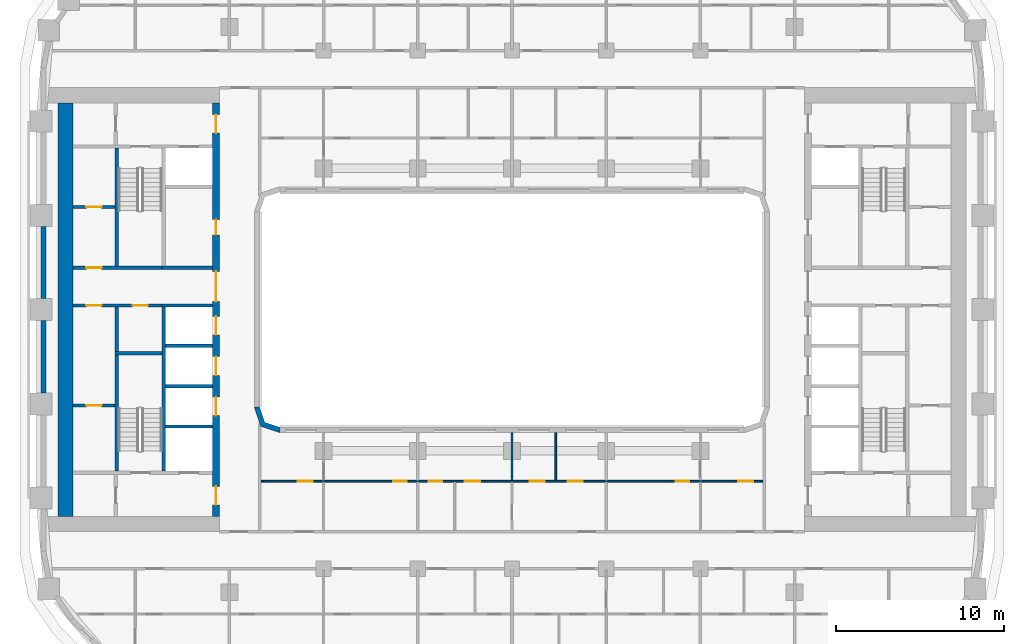
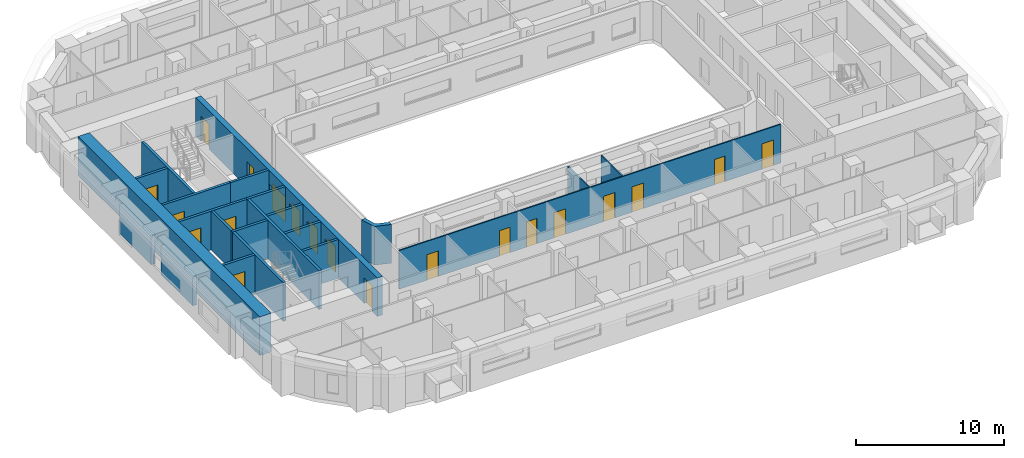
# One storey, part 4 of 22: 22 walls, 20 doors, 20 openings.
"""IFC4 building model written with IfcOpenShell, lengths in metres."""

import ifcopenshell
import ifcopenshell.guid

model = None  # the IFC model being written
_history = None  # IfcOwnerHistory: only IFC2X3 demands one
_inside = {}  # id of a spatial element -> (the spatial element, [elements in it])
_under = {}  # id of a project, library or spatial element -> (it, [spatial elements below it])
_declared = {}  # id of a project -> (the project, [libraries it declares])
_typed = {}  # id of a type object -> (the type object, [elements of that type])
_made_of = {}  # id of a material, layer set ... -> (it, [elements and type objects made of it])


def new_model(schema):
    """Start an empty IFC model of exactly this schema.

    Asked for "IFC4X3", IfcOpenShell would pick the latest addendum, in which some entities
    have other attributes; the version numbers below select the first issue.
    IFC2X3 requires an IfcOwnerHistory on every rooted entity: one is made here for all.
    """
    global model, _history
    if schema == "IFC4X3":
        model = ifcopenshell.file(schema_version=(4, 3, 0, 0))
    else:
        model = ifcopenshell.file(schema=schema)
    _inside.clear()
    _under.clear()
    _declared.clear()
    _typed.clear()
    _made_of.clear()
    _history = None
    if model.schema == "IFC2X3":
        org = make("IfcOrganization", Name="unknown")
        user = make(
            "IfcPersonAndOrganization",
            ThePerson=make("IfcPerson", FamilyName="unknown"),
            TheOrganization=org,
        )
        app = make(
            "IfcApplication",
            ApplicationDeveloper=org,
            Version="unknown",
            ApplicationFullName="unknown",
            ApplicationIdentifier="unknown",
        )
        _history = make(
            "IfcOwnerHistory",
            OwningUser=user,
            OwningApplication=app,
            ChangeAction="ADDED",
            CreationDate=0,
        )
    return model


def make(cls, **values):
    """One entity of the class cls with the attributes given. An attribute that is None is left unset."""
    return model.create_entity(
        cls, **{name: value for name, value in values.items() if value is not None}
    )


def rooted(cls, **values):
    """An entity with a GlobalId (a new one), such as an element, a storey or a relation."""
    return make(cls, GlobalId=ifcopenshell.guid.new(), OwnerHistory=_history, **values)


def si_unit(unit_type, name, prefix=None):
    """IfcSIUnit, for example si_unit("LENGTHUNIT", "METRE", prefix="MILLI")."""
    return make("IfcSIUnit", UnitType=unit_type, Prefix=prefix, Name=name)


def assignment(units):
    """IfcUnitAssignment: the units of a project."""
    return None if units is None else make("IfcUnitAssignment", Units=units)


def point(xyz):
    """IfcCartesianPoint."""
    return None if xyz is None else make("IfcCartesianPoint", Coordinates=xyz)


def direction(xyz):
    """IfcDirection."""
    return None if xyz is None else make("IfcDirection", DirectionRatios=xyz)


def frame(location, z_axis=None, x_axis=None):
    """IfcAxis2Placement3D, a coordinate frame: its origin and axes. An axis left out is left unset."""
    return make(
        "IfcAxis2Placement3D",
        Location=point(location),
        Axis=direction(z_axis),
        RefDirection=direction(x_axis),
    )


def frame_2d(location, x_axis=None):
    """IfcAxis2Placement2D, a coordinate frame in the plane: its origin and x axis."""
    return make(
        "IfcAxis2Placement2D", Location=point(location), RefDirection=direction(x_axis)
    )


def origin():
    """The frame at (0, 0, 0) with its axes left unset."""
    return frame((0.0, 0.0, 0.0))


def place(relative_to, where):
    """IfcLocalPlacement: puts the frame where relative to a parent placement (None: the world)."""
    return make(
        "IfcLocalPlacement", PlacementRelTo=relative_to, RelativePlacement=where
    )


def context(
    kind, dimensions, precision=None, world=None, true_north=None, identifier=None
):
    """IfcGeometricRepresentationContext, for example the 3D "Model" context."""
    return make(
        "IfcGeometricRepresentationContext",
        ContextIdentifier=identifier,
        ContextType=kind,
        CoordinateSpaceDimension=dimensions,
        Precision=precision,
        WorldCoordinateSystem=world,
        TrueNorth=true_north,
    )


def subcontext(parent, identifier, kind, view, scale=None):
    """IfcGeometricRepresentationSubContext, for example "Body" below "Model"."""
    return make(
        "IfcGeometricRepresentationSubContext",
        ContextIdentifier=identifier,
        ContextType=kind,
        ParentContext=parent,
        TargetScale=scale,
        TargetView=view,
    )


def project(units=None, contexts=None):
    """IfcProject with its units and contexts."""
    return rooted(
        "IfcProject",
        Name="project",
        RepresentationContexts=contexts,
        UnitsInContext=assignment(units),
    )


def spatial(cls, under=None, at=None, **own):
    """A site, building, storey or space (cls), placed at a placement, below another one or the project."""
    s = rooted(cls, ObjectPlacement=at, **own)
    if under is not None:
        _under.setdefault(under.id(), (under, []))[1].append(s)
    return s


def polyline(points):
    """IfcPolyline through the points."""
    return make("IfcPolyline", Points=[point(p) for p in points])


def profile(cls, at=None, kind="AREA", **sizes):
    """A parametric profile (cls). Its sizes go by their IFC names, for example OverallWidth=200.0."""
    return make(cls, ProfileType=kind, Position=at, **sizes)


def rectangle(**sizes):
    """IfcRectangleProfileDef."""
    return profile("IfcRectangleProfileDef", **sizes)


def outline(outer, holes=None, kind="AREA"):
    """IfcArbitraryClosedProfileDef: a profile drawn as a closed curve; with holes, ...WithVoids."""
    if holes is None:
        return make("IfcArbitraryClosedProfileDef", ProfileType=kind, OuterCurve=outer)
    return make(
        "IfcArbitraryProfileDefWithVoids",
        ProfileType=kind,
        OuterCurve=outer,
        InnerCurves=holes,
    )


def extrude(swept, where, along, depth):
    """IfcExtrudedAreaSolid: the profile swept, set in the frame where, extruded along a direction by depth."""
    return make(
        "IfcExtrudedAreaSolid",
        SweptArea=swept,
        Position=where,
        ExtrudedDirection=direction(along),
        Depth=depth,
    )


def shape(context_of_items, identifier, shape_type, items):
    """IfcShapeRepresentation: the items that make up one representation, for example the "Body"."""
    return make(
        "IfcShapeRepresentation",
        ContextOfItems=context_of_items,
        RepresentationIdentifier=identifier,
        RepresentationType=shape_type,
        Items=items,
    )


def material(Name=None, Category=None):
    """IfcMaterial."""
    return make("IfcMaterial", Name=Name, Category=Category)


def layer(
    of_material, thickness, ventilated=None, Name=None, Category=None, Priority=None
):
    """IfcMaterialLayer: one layer of a wall or slab, of a material (None: an air gap)."""
    return make(
        "IfcMaterialLayer",
        Material=of_material,
        LayerThickness=thickness,
        IsVentilated=ventilated,
        Name=Name,
        Category=Category,
        Priority=Priority,
    )


def layer_set(layers, Name=None):
    """IfcMaterialLayerSet."""
    return make("IfcMaterialLayerSet", MaterialLayers=layers, LayerSetName=Name)


def made_of(thing, what):
    """Note that an element or type object is made of a material, layer set ...; save() writes the relation."""
    if what is not None:
        _made_of.setdefault(what.id(), (what, []))[1].append(thing)
    return thing


def type_object(cls, material=None, **own):
    """A type object (cls), such as IfcWallType, which elements share."""
    return made_of(rooted(cls, **own), material)


def element(
    cls,
    number,
    at=None,
    inside=None,
    cuts=None,
    type_object=None,
    material=None,
    context=None,
    identifier="Body",
    shape_type=None,
    held_by="IfcProductDefinitionShape",
    body=None,
    shapes=None,
    **own,
):
    """One element of the class cls, such as IfcWall. Its Tag is "e" and its number.

    at: its placement. inside: the storey or other place that contains it. cuts: it is an
    opening in that element (IfcRelVoidsElement). A single representation is given by context,
    identifier, shape_type and body (its items); several are given by shapes. held_by: the class
    of the entity that holds the representations. save() writes the other relations.
    """
    e = rooted(cls, Tag="e%d" % number, ObjectPlacement=at, **own)
    if body is not None:
        shapes = [shape(context, identifier, shape_type, body)]
    if shapes is not None:
        e.Representation = make(held_by, Representations=shapes)
    if inside is not None:
        _inside.setdefault(inside.id(), (inside, []))[1].append(e)
    if cuts is not None:
        rooted(
            "IfcRelVoidsElement", RelatingBuildingElement=cuts, RelatedOpeningElement=e
        )
    if type_object is not None:
        _typed.setdefault(type_object.id(), (type_object, []))[1].append(e)
    return made_of(e, material)


def fill(opening, filler):
    """IfcRelFillsElement: the door or window that sits in an opening."""
    return rooted(
        "IfcRelFillsElement",
        RelatingOpeningElement=opening,
        RelatedBuildingElement=filler,
    )


def aggregate(whole, parts):
    """IfcRelAggregates: a whole, such as a stair, and the parts it consists of."""
    return rooted("IfcRelAggregates", RelatingObject=whole, RelatedObjects=parts)


def save(model, path):
    """Write the relations noted so far, then the file.

    IfcRelAggregates (storeys below a building ...), IfcRelContainedInSpatialStructure (elements
    in a storey), IfcRelDefinesByType, IfcRelAssociatesMaterial and IfcRelDeclares: one each for
    every whole, place, type object, material and project.
    """
    for whole, parts in _under.values():
        aggregate(whole, parts)
    for where, things in _inside.values():
        rooted(
            "IfcRelContainedInSpatialStructure",
            RelatedElements=things,
            RelatingStructure=where,
        )
    for kind, things in _typed.values():
        rooted("IfcRelDefinesByType", RelatedObjects=things, RelatingType=kind)
    for what, things in _made_of.values():
        rooted("IfcRelAssociatesMaterial", RelatedObjects=things, RelatingMaterial=what)
    for by, libraries in _declared.values():
        rooted("IfcRelDeclares", RelatingContext=by, RelatedDefinitions=libraries)
    model.write(path)


model = new_model("IFC4")

# Units and contexts
model_context = context("Model", 3, precision=1e-05, world=origin(), true_north=direction((0.0, 1.0)))
body_context = subcontext(model_context, "Body", "Model", "MODEL_VIEW")
ifc_project = project(units=[si_unit("LENGTHUNIT", "METRE"), si_unit("AREAUNIT", "SQUARE_METRE"), si_unit("VOLUMEUNIT", "CUBIC_METRE"), si_unit("PLANEANGLEUNIT", "RADIAN"), si_unit("MASSUNIT", "GRAM", prefix="KILO")], contexts=[model_context])

# Site, building, storey
site_placement = place(None, origin())
site = spatial("IfcSite", under=ifc_project, at=site_placement, CompositionType="ELEMENT")
building_placement = place(site_placement, origin())
building = spatial("IfcBuilding", under=site, at=building_placement, Name="Kiln Ring Residences", CompositionType="ELEMENT")
storey_placement = place(building_placement, frame((0.0, 0.0, 97.300048828125)))
storey = spatial("IfcBuildingStorey", under=building, at=storey_placement, Name="L24", CompositionType="ELEMENT", Elevation=97.300048828125)

# Wall
ifc_material_1 = material(Name="Gypsum board on steel studs", Category="steel")
ifc_layer_1 = layer(ifc_material_1, 0.199951171875)
ifc_layer_set_1 = layer_set([ifc_layer_1], Name="CORE-PARTITION-200")
wall_type_1 = type_object("IfcWallType", Name="CORE-PARTITION-200", PredefinedType="PARTITIONING", material=ifc_layer_set_1)
wall_1_placement = place(storey_placement, frame((-23.5, -2.5, 0.0), z_axis=(0.0, 0.0, 1.0), x_axis=(0.0, 1.0, 0.0)))
element("IfcWall", 1, at=wall_1_placement, inside=storey, type_object=wall_type_1, Name="Core partition west L24 1", PredefinedType="PARTITIONING", context=body_context, shape_type="SweptSolid", body=[
    extrude(rectangle(XDim=2.64990234375, YDim=0.199951171875, at=frame_2d((1.324951171875, 0.0))), origin(), (0.0, 0.0, 1.0), 3.199951171875),
])

# Wall, openings, doors
wall_2_placement = place(storey_placement, frame((-20.800048828125, 0.25, 0.0), z_axis=(0.0, 0.0, 1.0), x_axis=(-1.0, 0.0, 0.0)))
wall_2 = element("IfcWall", 2, at=wall_2_placement, inside=storey, type_object=wall_type_1, Name="Core partition west L24 2", PredefinedType="PARTITIONING", context=body_context, shape_type="SweptSolid", body=[
    extrude(rectangle(XDim=5.300048828125, YDim=0.199951171875, at=frame_2d((2.64990234375, 0.0))), origin(), (0.0, 0.0, 1.0), 3.199951171875),
])
opening_1_placement = place(wall_2_placement, frame((0.85009765625, 0.0, 0.0)))
opening_1 = element("IfcOpeningElement", 3, at=opening_1_placement, cuts=wall_2, Name="Opening L24-CW14", PredefinedType="OPENING", context=body_context, shape_type="SweptSolid", body=[
    extrude(rectangle(XDim=0.89990234375, YDim=2.10009765625, at=frame_2d((0.449951171875, 1.050048828125))), frame((0.0, 0.10986328125, 0.0), z_axis=(0.0, -1.0, 0.0), x_axis=(1.0, 0.0, 0.0)), (0.0, 0.0, 1.0), 0.219970703125),
])
opening_2_placement = place(wall_2_placement, frame((3.60009765625, 0.0, 0.0)))
opening_2 = element("IfcOpeningElement", 4, at=opening_2_placement, cuts=wall_2, Name="Opening L24-CW16", PredefinedType="OPENING", context=body_context, shape_type="SweptSolid", body=[
    extrude(rectangle(XDim=0.89990234375, YDim=2.10009765625, at=frame_2d((0.449951171875, 1.050048828125))), frame((0.0, 0.10986328125, 0.0), z_axis=(0.0, -1.0, 0.0), x_axis=(1.0, 0.0, 0.0)), (0.0, 0.0, 1.0), 0.219970703125),
])
ifc_material_2 = material(Name="Steel door leaf", Category="steel")
door_type_1 = type_object("IfcDoorType", Name="CORE-DOOR-ROOM", OperationType="SINGLE_SWING_LEFT", PredefinedType="DOOR", material=ifc_material_2)
door_1_placement = place(opening_1_placement, origin())
door_1 = element("IfcDoor", 5, at=door_1_placement, inside=storey, type_object=door_type_1, Name="Housekeeping store L24-CW14", OperationType="SINGLE_SWING_RIGHT", OverallHeight=2.10009765625, OverallWidth=0.89990234375, PredefinedType="DOOR", context=body_context, shape_type="SweptSolid", body=[
    extrude(rectangle(XDim=0.89990234375, YDim=2.10009765625, at=frame_2d((0.449951171875, 1.050048828125))), frame((0.0, 0.02490234375, 0.0), z_axis=(0.0, -1.0, 0.0), x_axis=(1.0, 0.0, 0.0)), (0.0, 0.0, 1.0), 0.050048828125),
])
fill(opening_1, door_1)
door_2_placement = place(opening_2_placement, origin())
door_2 = element("IfcDoor", 6, at=door_2_placement, inside=storey, type_object=door_type_1, Name="Battery room L24-CW16", OperationType="SINGLE_SWING_RIGHT", OverallHeight=2.10009765625, OverallWidth=0.89990234375, PredefinedType="DOOR", context=body_context, shape_type="SweptSolid", body=[
    extrude(rectangle(XDim=0.89990234375, YDim=2.10009765625, at=frame_2d((0.449951171875, 1.050048828125))), frame((0.0, 0.02490234375, 0.0), z_axis=(0.0, -1.0, 0.0), x_axis=(1.0, 0.0, 0.0)), (0.0, 0.0, 1.0), 0.050048828125),
])
fill(opening_2, door_2)

# Wall, opening, door
wall_3_placement = place(storey_placement, frame((-23.60009765625, -5.699951171875, 0.0), z_axis=(0.0, 0.0, 1.0), x_axis=(-1.0, 0.0, 0.0)))
wall_3 = element("IfcWall", 7, at=wall_3_placement, inside=storey, type_object=wall_type_1, Name="Core partition west L24 5", PredefinedType="PARTITIONING", context=body_context, shape_type="SweptSolid", body=[
    extrude(rectangle(XDim=2.5, YDim=0.199951171875, at=frame_2d((1.25, 0.0))), origin(), (0.0, 0.0, 1.0), 3.199951171875),
])
opening_3_placement = place(wall_3_placement, frame((0.800048828125, 0.0, 0.0)))
opening_3 = element("IfcOpeningElement", 8, at=opening_3_placement, cuts=wall_3, Name="Opening L24-CW15", PredefinedType="OPENING", context=body_context, shape_type="SweptSolid", body=[
    extrude(rectangle(XDim=0.89990234375, YDim=2.10009765625, at=frame_2d((0.449951171875, 1.050048828125))), frame((0.0, 0.10986328125, 0.0), z_axis=(0.0, -1.0, 0.0), x_axis=(1.0, 0.0, 0.0)), (0.0, 0.0, 1.0), 0.219970703125),
])
door_3_placement = place(opening_3_placement, origin())
door_3 = element("IfcDoor", 9, at=door_3_placement, inside=storey, type_object=door_type_1, Name="Battery room L24-CW15", OperationType="SINGLE_SWING_RIGHT", OverallHeight=2.10009765625, OverallWidth=0.89990234375, PredefinedType="DOOR", context=body_context, shape_type="SweptSolid", body=[
    extrude(rectangle(XDim=0.89990234375, YDim=2.10009765625, at=frame_2d((0.449951171875, 1.050048828125))), frame((0.0, 0.02490234375, 0.0), z_axis=(0.0, -1.0, 0.0), x_axis=(1.0, 0.0, 0.0)), (0.0, 0.0, 1.0), 0.050048828125),
])
fill(opening_3, door_3)

wall_4_placement = place(storey_placement, frame((-23.60009765625, 6.10009765625, 0.0), z_axis=(0.0, 0.0, 1.0), x_axis=(-1.0, 0.0, 0.0)))
wall_4 = element("IfcWall", 10, at=wall_4_placement, inside=storey, type_object=wall_type_1, Name="Core partition west L24 6", PredefinedType="PARTITIONING", context=body_context, shape_type="SweptSolid", body=[
    extrude(rectangle(XDim=2.5, YDim=0.199951171875, at=frame_2d((1.25, 0.0))), origin(), (0.0, 0.0, 1.0), 3.199951171875),
])
opening_4_placement = place(wall_4_placement, frame((0.800048828125, 0.0, 0.0)))
opening_4 = element("IfcOpeningElement", 11, at=opening_4_placement, cuts=wall_4, Name="Opening L24-CW17", PredefinedType="OPENING", context=body_context, shape_type="SweptSolid", body=[
    extrude(rectangle(XDim=0.89990234375, YDim=2.10009765625, at=frame_2d((0.449951171875, 1.050048828125))), frame((0.0, 0.10986328125, 0.0), z_axis=(0.0, -1.0, 0.0), x_axis=(1.0, 0.0, 0.0)), (0.0, 0.0, 1.0), 0.219970703125),
])
door_4_placement = place(opening_4_placement, origin())
door_4 = element("IfcDoor", 12, at=door_4_placement, inside=storey, type_object=door_type_1, Name="Electrical plant room L24-CW17", OperationType="SINGLE_SWING_RIGHT", OverallHeight=2.10009765625, OverallWidth=0.89990234375, PredefinedType="DOOR", context=body_context, shape_type="SweptSolid", body=[
    extrude(rectangle(XDim=0.89990234375, YDim=2.10009765625, at=frame_2d((0.449951171875, 1.050048828125))), frame((0.0, 0.02490234375, 0.0), z_axis=(0.0, -1.0, 0.0), x_axis=(1.0, 0.0, 0.0)), (0.0, 0.0, 1.0), 0.050048828125),
])
fill(opening_4, door_4)

# Walls
ifc_material_3 = material(Name="Gypsum shaft wall system")
ifc_layer_2 = layer(ifc_material_3, 0.199951171875)
ifc_layer_set_2 = layer_set([ifc_layer_2], Name="CORE-SHAFT-WALL-200")
wall_type_2 = type_object("IfcWallType", Name="CORE-SHAFT-WALL-200", PredefinedType="PARTITIONING", material=ifc_layer_set_2)
for number, where, z_axis, x_axis, name in (
    (13, (-17.800048828125, -6.949951171875, 0.0), (0.0, 0.0, 1.0), (-1.0, 0.0, 0.0), "Core partition west L24 7"),
    (14, (-17.800048828125, -4.550048828125, 0.0), (0.0, 0.0, 1.0), (-1.0, 0.0, 0.0), "Core partition west L24 8"),
    (15, (-17.800048828125, -2.14990234375, 0.0), (0.0, 0.0, 1.0), (-1.0, 0.0, 0.0), "Core partition west L24 9"),
):
    element("IfcWall", number, at=place(storey_placement, frame(where, z_axis=z_axis, x_axis=x_axis)), inside=storey, type_object=wall_type_2, Name=name, PredefinedType="PARTITIONING", context=body_context, shape_type="SweptSolid", body=[
        extrude(rectangle(XDim=2.800048828125, YDim=0.199951171875, at=frame_2d((1.39990234375, 0.0))), origin(), (0.0, 0.0, 1.0), 3.199951171875),
    ])
for number, where, z_axis, x_axis, name in (
    (16, (-17.800048828125, 0.25, 0.0), (0.0, 0.0, 1.0), (-1.0, 0.0, 0.0), "Core partition west L24 10"),
    (17, (-17.800048828125, 2.5, 0.0), (0.0, 0.0, 1.0), (-1.0, 0.0, 0.0), "Core partition west L24 11"),
):
    element("IfcWall", number, at=place(storey_placement, frame(where, z_axis=z_axis, x_axis=x_axis)), inside=storey, type_object=wall_type_2, Name=name, PredefinedType="PARTITIONING", context=body_context, shape_type="SweptSolid", body=[
        extrude(rectangle(XDim=3.0, YDim=0.199951171875, at=frame_2d((1.5, 0.0))), origin(), (0.0, 0.0, 1.0), 3.199951171875),
    ])
ifc_material_4 = material(Name="Concrete C40/50", Category="concrete")
ifc_layer_3 = layer(ifc_material_4, 0.199951171875)
ifc_layer_set_3 = layer_set([ifc_layer_3], Name="CORE-WALL-RC200")
wall_type_3 = type_object("IfcWallType", Name="CORE-WALL-RC200", PredefinedType="SHEAR", material=ifc_layer_set_3)
wall_5_placement = place(storey_placement, frame((-20.699951171875, -9.60009765625, 0.0), z_axis=(0.0, 0.0, 1.0), x_axis=(0.0, 1.0, 0.0)))
element("IfcWall", 18, at=wall_5_placement, inside=storey, type_object=wall_type_3, Name="Core wall west L24 2", PredefinedType="SHEAR", context=body_context, shape_type="SweptSolid", body=[
    extrude(rectangle(XDim=9.75, YDim=0.199951171875, at=frame_2d((4.875, 0.0))), origin(), (0.0, 0.0, 1.0), 3.199951171875),
])

# Wall, opening, door
wall_6_placement = place(storey_placement, frame((-20.800048828125, 2.5, 0.0), z_axis=(0.0, 0.0, 1.0), x_axis=(-1.0, 0.0, 0.0)))
wall_6 = element("IfcWall", 19, at=wall_6_placement, inside=storey, type_object=wall_type_3, Name="Core wall west L24 3", PredefinedType="SHEAR", context=body_context, shape_type="SweptSolid", body=[
    extrude(rectangle(XDim=5.300048828125, YDim=0.199951171875, at=frame_2d((2.64990234375, 0.0))), origin(), (0.0, 0.0, 1.0), 3.199951171875),
])
opening_5_placement = place(wall_6_placement, frame((3.60009765625, 0.0, 0.0)))
opening_5 = element("IfcOpeningElement", 20, at=opening_5_placement, cuts=wall_6, Name="Opening L24-CW18", PredefinedType="OPENING", context=body_context, shape_type="SweptSolid", body=[
    extrude(rectangle(XDim=0.89990234375, YDim=2.10009765625, at=frame_2d((0.449951171875, 1.050048828125))), frame((0.0, 0.10986328125, 0.0), z_axis=(0.0, -1.0, 0.0), x_axis=(1.0, 0.0, 0.0)), (0.0, 0.0, 1.0), 0.219970703125),
])
door_5_placement = place(opening_5_placement, origin())
door_5 = element("IfcDoor", 21, at=door_5_placement, inside=storey, type_object=door_type_1, Name="Comms room L24-CW18", OperationType="SINGLE_SWING_LEFT", OverallHeight=2.10009765625, OverallWidth=0.89990234375, PredefinedType="DOOR", context=body_context, shape_type="SweptSolid", body=[
    extrude(rectangle(XDim=0.89990234375, YDim=2.10009765625, at=frame_2d((0.449951171875, 1.050048828125))), frame((0.0, 0.02490234375, 0.0), z_axis=(0.0, -1.0, 0.0), x_axis=(1.0, 0.0, 0.0)), (0.0, 0.0, 1.0), 0.050048828125),
])
fill(opening_5, door_5)

# Walls
wall_7_placement = place(storey_placement, frame((-23.5, 2.60009765625, 0.0), z_axis=(0.0, 0.0, 1.0), x_axis=(0.0, 1.0, 0.0)))
element("IfcWall", 22, at=wall_7_placement, inside=storey, type_object=wall_type_3, Name="Core wall west L24 10", PredefinedType="SHEAR", context=body_context, shape_type="SweptSolid", body=[
    extrude(rectangle(XDim=7.0, YDim=0.199951171875, at=frame_2d((3.5, 0.0))), origin(), (0.0, 0.0, 1.0), 3.199951171875),
])
wall_8_placement = place(storey_placement, frame((-23.5, -9.60009765625, 0.0), z_axis=(0.0, 0.0, 1.0), x_axis=(0.0, 1.0, 0.0)))
element("IfcWall", 23, at=wall_8_placement, inside=storey, type_object=wall_type_3, Name="Core wall west L24 11", PredefinedType="SHEAR", context=body_context, shape_type="SweptSolid", body=[
    extrude(rectangle(XDim=6.900146484375, YDim=0.199951171875, at=frame_2d((3.4501953125, 0.0))), origin(), (0.0, 0.0, 1.0), 3.199951171875),
])
wall_9_placement = place(storey_placement, frame((-20.800048828125, -2.60009765625, 0.0), z_axis=(0.0, 0.0, 1.0), x_axis=(-1.0, 0.0, 0.0)))
element("IfcWall", 24, at=wall_9_placement, inside=storey, type_object=wall_type_3, Name="Core wall west L24 12", PredefinedType="SHEAR", context=body_context, shape_type="SweptSolid", body=[
    extrude(rectangle(XDim=2.800048828125, YDim=0.199951171875, at=frame_2d((1.39990234375, 0.0))), origin(), (0.0, 0.0, 1.0), 3.199951171875),
])

# Wall, openings, doors
ifc_material_5 = material(Name="Concrete C60/75", Category="concrete")
ifc_layer_4 = layer(ifc_material_5, 0.39990234375)
ifc_layer_set_4 = layer_set([ifc_layer_4], Name="CORE-WALL-RC400")
wall_type_4 = type_object("IfcWallType", Name="CORE-WALL-RC400", PredefinedType="SHEAR", material=ifc_layer_set_4)
wall_10_placement = place(storey_placement, frame((-17.60009765625, -12.300048828125, 0.0), z_axis=(0.0, 0.0, 1.0), x_axis=(0.0, 1.0, 0.0)))
wall_10 = element("IfcWall", 25, at=wall_10_placement, inside=storey, type_object=wall_type_4, Name="Core wall west L24 6", PredefinedType="SHEAR", context=body_context, shape_type="SweptSolid", body=[
    extrude(rectangle(XDim=24.60009765625, YDim=0.39990234375, at=frame_2d((12.300048828125, 0.0))), origin(), (0.0, 0.0, 1.0), 3.199951171875),
])
opening_6_placement = place(wall_10_placement, frame((6.0, 0.0, 0.0)))
opening_6 = element("IfcOpeningElement", 26, at=opening_6_placement, cuts=wall_10, Name="Opening L24-CW02", PredefinedType="OPENING", context=body_context, shape_type="SweptSolid", body=[
    extrude(rectangle(XDim=1.10009765625, YDim=2.10009765625, at=frame_2d((0.550048828125, 1.050048828125))), frame((0.0, 0.2099609375, 0.0), z_axis=(0.0, -1.0, 0.0), x_axis=(1.0, 0.0, 0.0)), (0.0, 0.0, 1.0), 0.419921875),
])
opening_7_placement = place(wall_10_placement, frame((8.39990234375, 0.0, 0.0)))
opening_7 = element("IfcOpeningElement", 27, at=opening_7_placement, cuts=wall_10, Name="Opening L24-CW03", PredefinedType="OPENING", context=body_context, shape_type="SweptSolid", body=[
    extrude(rectangle(XDim=1.10009765625, YDim=2.10009765625, at=frame_2d((0.550048828125, 1.050048828125))), frame((0.0, 0.2099609375, 0.0), z_axis=(0.0, -1.0, 0.0), x_axis=(1.0, 0.0, 0.0)), (0.0, 0.0, 1.0), 0.419921875),
])
opening_8_placement = place(wall_10_placement, frame((10.800048828125, 0.0, 0.0)))
opening_8 = element("IfcOpeningElement", 28, at=opening_8_placement, cuts=wall_10, Name="Opening L24-CW04", PredefinedType="OPENING", context=body_context, shape_type="SweptSolid", body=[
    extrude(rectangle(XDim=1.10009765625, YDim=2.10009765625, at=frame_2d((0.550048828125, 1.050048828125))), frame((0.0, 0.2099609375, 0.0), z_axis=(0.0, -1.0, 0.0), x_axis=(1.0, 0.0, 0.0)), (0.0, 0.0, 1.0), 0.419921875),
])
opening_9_placement = place(wall_10_placement, frame((16.75, 0.0, 0.0)))
opening_9 = element("IfcOpeningElement", 29, at=opening_9_placement, cuts=wall_10, Name="Opening L24-CW05", PredefinedType="OPENING", context=body_context, shape_type="SweptSolid", body=[
    extrude(rectangle(XDim=0.89990234375, YDim=2.10009765625, at=frame_2d((0.449951171875, 1.050048828125))), frame((0.0, 0.2099609375, 0.0), z_axis=(0.0, -1.0, 0.0), x_axis=(1.0, 0.0, 0.0)), (0.0, 0.0, 1.0), 0.419921875),
])
opening_10_placement = place(wall_10_placement, frame((22.800048828125, 0.0, 0.0)))
opening_10 = element("IfcOpeningElement", 30, at=opening_10_placement, cuts=wall_10, Name="Opening L24-CW07", PredefinedType="OPENING", context=body_context, shape_type="SweptSolid", body=[
    extrude(rectangle(XDim=1.10009765625, YDim=2.10009765625, at=frame_2d((0.550048828125, 1.050048828125))), frame((0.0, 0.2099609375, 0.0), z_axis=(0.0, -1.0, 0.0), x_axis=(1.0, 0.0, 0.0)), (0.0, 0.0, 1.0), 0.419921875),
])
opening_11_placement = place(wall_10_placement, frame((0.699951171875, 0.0, 0.0)))
opening_11 = element("IfcOpeningElement", 31, at=opening_11_placement, cuts=wall_10, Name="Opening L24-CW08", PredefinedType="OPENING", context=body_context, shape_type="SweptSolid", body=[
    extrude(rectangle(XDim=1.10009765625, YDim=2.10009765625, at=frame_2d((0.550048828125, 1.050048828125))), frame((0.0, 0.2099609375, 0.0), z_axis=(0.0, -1.0, 0.0), x_axis=(1.0, 0.0, 0.0)), (0.0, 0.0, 1.0), 0.419921875),
])
opening_12_placement = place(wall_10_placement, frame((12.77490234375, 0.0, 0.0)))
opening_12 = element("IfcOpeningElement", 32, at=opening_12_placement, cuts=wall_10, Name="Opening L24-CW13", PredefinedType="OPENING", context=body_context, shape_type="SweptSolid", body=[
    extrude(rectangle(XDim=1.800048828125, YDim=2.10009765625, at=frame_2d((0.89990234375, 1.050048828125))), frame((0.0, 0.2099609375, 0.0), z_axis=(0.0, -1.0, 0.0), x_axis=(1.0, 0.0, 0.0)), (0.0, 0.0, 1.0), 0.419921875),
])
ifc_material_6 = material(Name="Steel door leaf", Category="steel")
door_type_2 = type_object("IfcDoorType", Name="CORE-DOOR-LD", OperationType="DOUBLE_DOOR_SLIDING", PredefinedType="DOOR", material=ifc_material_6)
door_6_placement = place(opening_6_placement, origin())
door_6 = element("IfcDoor", 33, at=door_6_placement, inside=storey, type_object=door_type_2, Name="LD W-L1 L24-CW02", OperationType="DOUBLE_DOOR_SLIDING", OverallHeight=2.10009765625, OverallWidth=1.10009765625, PredefinedType="DOOR", context=body_context, shape_type="SweptSolid", body=[
    extrude(rectangle(XDim=1.10009765625, YDim=2.10009765625, at=frame_2d((0.550048828125, 1.050048828125))), frame((0.0, 0.02490234375, 0.0), z_axis=(0.0, -1.0, 0.0), x_axis=(1.0, 0.0, 0.0)), (0.0, 0.0, 1.0), 0.050048828125),
])
fill(opening_6, door_6)
door_7_placement = place(opening_7_placement, origin())
door_7 = element("IfcDoor", 34, at=door_7_placement, inside=storey, type_object=door_type_2, Name="LD W-L2 L24-CW03", OperationType="DOUBLE_DOOR_SLIDING", OverallHeight=2.10009765625, OverallWidth=1.10009765625, PredefinedType="DOOR", context=body_context, shape_type="SweptSolid", body=[
    extrude(rectangle(XDim=1.10009765625, YDim=2.10009765625, at=frame_2d((0.550048828125, 1.050048828125))), frame((0.0, 0.02490234375, 0.0), z_axis=(0.0, -1.0, 0.0), x_axis=(1.0, 0.0, 0.0)), (0.0, 0.0, 1.0), 0.050048828125),
])
fill(opening_7, door_7)
door_8_placement = place(opening_8_placement, origin())
door_8 = element("IfcDoor", 35, at=door_8_placement, inside=storey, type_object=door_type_2, Name="LD W-L3 L24-CW04", OperationType="DOUBLE_DOOR_SLIDING", OverallHeight=2.10009765625, OverallWidth=1.10009765625, PredefinedType="DOOR", context=body_context, shape_type="SweptSolid", body=[
    extrude(rectangle(XDim=1.10009765625, YDim=2.10009765625, at=frame_2d((0.550048828125, 1.050048828125))), frame((0.0, 0.02490234375, 0.0), z_axis=(0.0, -1.0, 0.0), x_axis=(1.0, 0.0, 0.0)), (0.0, 0.0, 1.0), 0.050048828125),
])
fill(opening_8, door_8)
ifc_material_7 = material(Name="Steel door leaf", Category="steel")
door_type_3 = type_object("IfcDoorType", Name="CORE-DOOR-LOBBY", OperationType="SINGLE_SWING_LEFT", PredefinedType="DOOR", material=ifc_material_7)
door_9_placement = place(opening_10_placement, origin())
door_9 = element("IfcDoor", 36, at=door_9_placement, inside=storey, type_object=door_type_3, Name="FFL L24-CW07", OperationType="SINGLE_SWING_RIGHT", OverallHeight=2.10009765625, OverallWidth=1.10009765625, PredefinedType="DOOR", context=body_context, shape_type="SweptSolid", body=[
    extrude(rectangle(XDim=1.10009765625, YDim=2.10009765625, at=frame_2d((0.550048828125, 1.050048828125))), frame((0.0, 0.02490234375, 0.0), z_axis=(0.0, -1.0, 0.0), x_axis=(1.0, 0.0, 0.0)), (0.0, 0.0, 1.0), 0.050048828125),
])
fill(opening_10, door_9)
door_10_placement = place(opening_11_placement, origin())
door_10 = element("IfcDoor", 37, at=door_10_placement, inside=storey, type_object=door_type_3, Name="SVL L24-CW08", OperationType="SINGLE_SWING_LEFT", OverallHeight=2.10009765625, OverallWidth=1.10009765625, PredefinedType="DOOR", context=body_context, shape_type="SweptSolid", body=[
    extrude(rectangle(XDim=1.10009765625, YDim=2.10009765625, at=frame_2d((0.550048828125, 1.050048828125))), frame((0.0, 0.02490234375, 0.0), z_axis=(0.0, -1.0, 0.0), x_axis=(1.0, 0.0, 0.0)), (0.0, 0.0, 1.0), 0.050048828125),
])
fill(opening_11, door_10)
ifc_material_8 = material(Name="Steel door leaf", Category="steel")
door_type_4 = type_object("IfcDoorType", Name="CORE-DOOR-PASS", OperationType="DOUBLE_DOOR_SINGLE_SWING", PredefinedType="DOOR", material=ifc_material_8)
door_11_placement = place(opening_12_placement, origin())
door_11 = element("IfcDoor", 38, at=door_11_placement, inside=storey, type_object=door_type_4, Name="Core passage L24-CW13", OperationType="DOUBLE_DOOR_SINGLE_SWING", OverallHeight=2.10009765625, OverallWidth=1.800048828125, PredefinedType="DOOR", context=body_context, shape_type="SweptSolid", body=[
    extrude(rectangle(XDim=1.800048828125, YDim=2.10009765625, at=frame_2d((0.89990234375, 1.050048828125))), frame((0.0, 0.02490234375, 0.0), z_axis=(0.0, -1.0, 0.0), x_axis=(1.0, 0.0, 0.0)), (0.0, 0.0, 1.0), 0.050048828125),
])
fill(opening_12, door_11)
door_12_placement = place(opening_9_placement, origin())
door_12 = element("IfcDoor", 39, at=door_12_placement, inside=storey, type_object=door_type_1, Name="Locker store L24-CW05", OperationType="SINGLE_SWING_LEFT", OverallHeight=2.10009765625, OverallWidth=0.89990234375, PredefinedType="DOOR", context=body_context, shape_type="SweptSolid", body=[
    extrude(rectangle(XDim=0.89990234375, YDim=2.10009765625, at=frame_2d((0.449951171875, 1.050048828125))), frame((0.0, 0.02490234375, 0.0), z_axis=(0.0, -1.0, 0.0), x_axis=(1.0, 0.0, 0.0)), (0.0, 0.0, 1.0), 0.050048828125),
])
fill(opening_9, door_12)

# Walls
ifc_material_9 = material(Name="Concrete C60/75", Category="concrete")
ifc_layer_5 = layer(ifc_material_9, 0.89990234375)
ifc_layer_set_5 = layer_set([ifc_layer_5], Name="CORE-WALL-RC900")
wall_type_5 = type_object("IfcWallType", Name="CORE-WALL-RC900", PredefinedType="SHEAR", material=ifc_layer_set_5)
wall_11_placement = place(storey_placement, frame((-26.550048828125, -12.300048828125, 0.0), z_axis=(0.0, 0.0, 1.0), x_axis=(0.0, 1.0, 0.0)))
element("IfcWall", 40, at=wall_11_placement, inside=storey, type_object=wall_type_5, Name="Core wall west L24 7", PredefinedType="SHEAR", context=body_context, shape_type="SweptSolid", body=[
    extrude(rectangle(XDim=24.60009765625, YDim=0.89990234375, at=frame_2d((12.300048828125, 0.0))), origin(), (0.0, 0.0, 1.0), 3.199951171875),
])
ifc_material_10 = material(Name="Brick masonry, dark clay brick", Category="masonry")
ifc_layer_6 = layer(ifc_material_10, 0.300048828125)
ifc_layer_set_6 = layer_set([ifc_layer_6], Name="EW-300 BRICK WALL")
wall_type_6 = type_object("IfcWallType", Name="EW-300 BRICK WALL", PredefinedType="SOLIDWALL", material=ifc_layer_set_6)
for number, where, z_axis, x_axis, name in (
    (41, (-27.85009765625, 4.949951171875, 0.0), (0.0, 0.0, 1.0), (0.0, -1.0, 0.0), "Facade wall L24 43"),
    (42, (-27.85009765625, -0.64990234375, 0.0), (0.0, 0.0, 1.0), (0.0, -1.0, 0.0), "Facade wall L24 44"),
):
    element("IfcWall", number, at=place(storey_placement, frame(where, z_axis=z_axis, x_axis=x_axis)), inside=storey, type_object=wall_type_6, Name=name, PredefinedType="SOLIDWALL", context=body_context, shape_type="SweptSolid", body=[
        extrude(rectangle(XDim=4.300048828125, YDim=0.300048828125, at=frame_2d((2.14990234375, 0.0))), origin(), (0.0, 0.0, 1.0), 2.39990234375),
    ])
wall_12_placement = place(storey_placement, origin())
element("IfcWall", 43, at=wall_12_placement, inside=storey, type_object=wall_type_6, Name="Corner wall L24 4", PredefinedType="SOLIDWALL", context=body_context, shape_type="SweptSolid", body=[
    extrude(outline(polyline([(-14.937255859375, -6.937255859375), (-13.8486328125, -7.300048828125), (-13.800048828125, -7.300048828125), (-13.800048828125, -7.0), (-14.699951171875, -6.699951171875), (-15.0, -5.800048828125), (-15.300048828125, -5.800048828125), (-15.300048828125, -5.8486328125), (-14.937255859375, -6.937255859375)])), origin(), (0.0, 0.0, 1.0), 3.199951171875),
])

# Wall, openings, doors
ifc_material_11 = material(Name="Gypsum board on steel studs", Category="steel")
ifc_layer_7 = layer(ifc_material_11, 0.10009765625)
ifc_layer_set_7 = layer_set([ifc_layer_7], Name="PARTITION-100")
wall_type_7 = type_object("IfcWallType", Name="PARTITION-100", PredefinedType="PARTITIONING", material=ifc_layer_set_7)
wall_13_placement = place(storey_placement, frame((-14.925048828125, -10.199951171875, 0.0), z_axis=(0.0, 0.0, 1.0), x_axis=(1.0, 0.0, 0.0)))
wall_13 = element("IfcWall", 44, at=wall_13_placement, inside=storey, type_object=wall_type_7, Name="Partition 003", PredefinedType="PARTITIONING", context=body_context, shape_type="SweptSolid", body=[
    extrude(rectangle(XDim=29.85009765625, YDim=0.10009765625, at=frame_2d((14.925048828125, 0.0))), origin(), (0.0, 0.0, 1.0), 3.199951171875),
])
opening_13_placement = place(wall_13_placement, frame((7.875, 0.0, 0.0)))
opening_13 = element("IfcOpeningElement", 45, at=opening_13_placement, cuts=wall_13, Name="Opening L24-D044", PredefinedType="OPENING", context=body_context, shape_type="SweptSolid", body=[
    extrude(rectangle(XDim=0.800048828125, YDim=2.10009765625, at=frame_2d((0.39990234375, 1.050048828125))), frame((0.0, 0.06005859375, 0.0), z_axis=(0.0, -1.0, 0.0), x_axis=(1.0, 0.0, 0.0)), (0.0, 0.0, 1.0), 0.1201171875),
])
opening_14_placement = place(wall_13_placement, frame((2.175048828125, 0.0, 0.0)))
opening_14 = element("IfcOpeningElement", 46, at=opening_14_placement, cuts=wall_13, Name="Opening L24-D045", PredefinedType="OPENING", context=body_context, shape_type="SweptSolid", body=[
    extrude(rectangle(XDim=0.89990234375, YDim=2.10009765625, at=frame_2d((0.449951171875, 1.050048828125))), frame((0.0, 0.06005859375, 0.0), z_axis=(0.0, -1.0, 0.0), x_axis=(1.0, 0.0, 0.0)), (0.0, 0.0, 1.0), 0.1201171875),
])
opening_15_placement = place(wall_13_placement, frame((9.97509765625, 0.0, 0.0)))
opening_15 = element("IfcOpeningElement", 47, at=opening_15_placement, cuts=wall_13, Name="Opening L24-D049", PredefinedType="OPENING", context=body_context, shape_type="SweptSolid", body=[
    extrude(rectangle(XDim=0.800048828125, YDim=2.10009765625, at=frame_2d((0.39990234375, 1.050048828125))), frame((0.0, 0.06005859375, 0.0), z_axis=(0.0, -1.0, 0.0), x_axis=(1.0, 0.0, 0.0)), (0.0, 0.0, 1.0), 0.1201171875),
])
opening_16_placement = place(wall_13_placement, frame((12.125, 0.0, 0.0)))
opening_16 = element("IfcOpeningElement", 48, at=opening_16_placement, cuts=wall_13, Name="Opening L24-D050", PredefinedType="OPENING", context=body_context, shape_type="SweptSolid", body=[
    extrude(rectangle(XDim=0.89990234375, YDim=2.10009765625, at=frame_2d((0.449951171875, 1.050048828125))), frame((0.0, 0.06005859375, 0.0), z_axis=(0.0, -1.0, 0.0), x_axis=(1.0, 0.0, 0.0)), (0.0, 0.0, 1.0), 0.1201171875),
])
opening_17_placement = place(wall_13_placement, frame((15.97509765625, 0.0, 0.0)))
opening_17 = element("IfcOpeningElement", 49, at=opening_17_placement, cuts=wall_13, Name="Opening L24-D051", PredefinedType="OPENING", context=body_context, shape_type="SweptSolid", body=[
    extrude(rectangle(XDim=0.89990234375, YDim=2.10009765625, at=frame_2d((0.449951171875, 1.050048828125))), frame((0.0, 0.06005859375, 0.0), z_axis=(0.0, -1.0, 0.0), x_axis=(1.0, 0.0, 0.0)), (0.0, 0.0, 1.0), 0.1201171875),
])
opening_18_placement = place(wall_13_placement, frame((18.22509765625, 0.0, 0.0)))
opening_18 = element("IfcOpeningElement", 50, at=opening_18_placement, cuts=wall_13, Name="Opening L24-D052", PredefinedType="OPENING", context=body_context, shape_type="SweptSolid", body=[
    extrude(rectangle(XDim=0.89990234375, YDim=2.10009765625, at=frame_2d((0.449951171875, 1.050048828125))), frame((0.0, 0.06005859375, 0.0), z_axis=(0.0, -1.0, 0.0), x_axis=(1.0, 0.0, 0.0)), (0.0, 0.0, 1.0), 0.1201171875),
])
opening_19_placement = place(wall_13_placement, frame((24.675048828125, 0.0, 0.0)))
opening_19 = element("IfcOpeningElement", 51, at=opening_19_placement, cuts=wall_13, Name="Opening L24-D054", PredefinedType="OPENING", context=body_context, shape_type="SweptSolid", body=[
    extrude(rectangle(XDim=0.800048828125, YDim=2.10009765625, at=frame_2d((0.39990234375, 1.050048828125))), frame((0.0, 0.06005859375, 0.0), z_axis=(0.0, -1.0, 0.0), x_axis=(1.0, 0.0, 0.0)), (0.0, 0.0, 1.0), 0.1201171875),
])
opening_20_placement = place(wall_13_placement, frame((28.375, 0.0, 0.0)))
opening_20 = element("IfcOpeningElement", 52, at=opening_20_placement, cuts=wall_13, Name="Opening L24-D055", PredefinedType="OPENING", context=body_context, shape_type="SweptSolid", body=[
    extrude(rectangle(XDim=0.89990234375, YDim=2.10009765625, at=frame_2d((0.449951171875, 1.050048828125))), frame((0.0, 0.06005859375, 0.0), z_axis=(0.0, -1.0, 0.0), x_axis=(1.0, 0.0, 0.0)), (0.0, 0.0, 1.0), 0.1201171875),
])
ifc_material_12 = material(Name="Timber door leaf", Category="wood")
door_type_5 = type_object("IfcDoorType", Name="FLAT-DOOR-800-PL", OperationType="SINGLE_SWING_LEFT", PredefinedType="DOOR", material=ifc_material_12)
door_13_placement = place(opening_13_placement, origin())
door_13 = element("IfcDoor", 53, at=door_13_placement, inside=storey, type_object=door_type_5, Name="Door L24-D044", OperationType="SINGLE_SWING_RIGHT", OverallHeight=2.10009765625, OverallWidth=0.800048828125, PredefinedType="DOOR", context=body_context, shape_type="SweptSolid", body=[
    extrude(rectangle(XDim=0.800048828125, YDim=2.10009765625, at=frame_2d((0.39990234375, 1.050048828125))), frame((0.0, 0.02490234375, 0.0), z_axis=(0.0, -1.0, 0.0), x_axis=(1.0, 0.0, 0.0)), (0.0, 0.0, 1.0), 0.050048828125),
])
fill(opening_13, door_13)
door_14_placement = place(opening_15_placement, origin())
door_14 = element("IfcDoor", 54, at=door_14_placement, inside=storey, type_object=door_type_5, Name="Door L24-D049", OperationType="SINGLE_SWING_LEFT", OverallHeight=2.10009765625, OverallWidth=0.800048828125, PredefinedType="DOOR", context=body_context, shape_type="SweptSolid", body=[
    extrude(rectangle(XDim=0.800048828125, YDim=2.10009765625, at=frame_2d((0.39990234375, 1.050048828125))), frame((0.0, 0.02490234375, 0.0), z_axis=(0.0, -1.0, 0.0), x_axis=(1.0, 0.0, 0.0)), (0.0, 0.0, 1.0), 0.050048828125),
])
fill(opening_15, door_14)
door_15_placement = place(opening_19_placement, origin())
door_15 = element("IfcDoor", 55, at=door_15_placement, inside=storey, type_object=door_type_5, Name="Door L24-D054", OperationType="SINGLE_SWING_RIGHT", OverallHeight=2.10009765625, OverallWidth=0.800048828125, PredefinedType="DOOR", context=body_context, shape_type="SweptSolid", body=[
    extrude(rectangle(XDim=0.800048828125, YDim=2.10009765625, at=frame_2d((0.39990234375, 1.050048828125))), frame((0.0, 0.02490234375, 0.0), z_axis=(0.0, -1.0, 0.0), x_axis=(1.0, 0.0, 0.0)), (0.0, 0.0, 1.0), 0.050048828125),
])
fill(opening_19, door_15)
ifc_material_13 = material(Name="Timber door leaf", Category="wood")
door_type_6 = type_object("IfcDoorType", Name="FLAT-DOOR-900-PL", OperationType="SINGLE_SWING_LEFT", PredefinedType="DOOR", material=ifc_material_13)
door_16_placement = place(opening_14_placement, origin())
door_16 = element("IfcDoor", 56, at=door_16_placement, inside=storey, type_object=door_type_6, Name="Door L24-D045", OperationType="SINGLE_SWING_LEFT", OverallHeight=2.10009765625, OverallWidth=0.89990234375, PredefinedType="DOOR", context=body_context, shape_type="SweptSolid", body=[
    extrude(rectangle(XDim=0.89990234375, YDim=2.10009765625, at=frame_2d((0.449951171875, 1.050048828125))), frame((0.0, 0.02490234375, 0.0), z_axis=(0.0, -1.0, 0.0), x_axis=(1.0, 0.0, 0.0)), (0.0, 0.0, 1.0), 0.050048828125),
])
fill(opening_14, door_16)
door_17_placement = place(opening_16_placement, origin())
door_17 = element("IfcDoor", 57, at=door_17_placement, inside=storey, type_object=door_type_6, Name="Door L24-D050", OperationType="SINGLE_SWING_RIGHT", OverallHeight=2.10009765625, OverallWidth=0.89990234375, PredefinedType="DOOR", context=body_context, shape_type="SweptSolid", body=[
    extrude(rectangle(XDim=0.89990234375, YDim=2.10009765625, at=frame_2d((0.449951171875, 1.050048828125))), frame((0.0, 0.02490234375, 0.0), z_axis=(0.0, -1.0, 0.0), x_axis=(1.0, 0.0, 0.0)), (0.0, 0.0, 1.0), 0.050048828125),
])
fill(opening_16, door_17)
door_18_placement = place(opening_17_placement, origin())
door_18 = element("IfcDoor", 58, at=door_18_placement, inside=storey, type_object=door_type_6, Name="Door L24-D051", OperationType="SINGLE_SWING_LEFT", OverallHeight=2.10009765625, OverallWidth=0.89990234375, PredefinedType="DOOR", context=body_context, shape_type="SweptSolid", body=[
    extrude(rectangle(XDim=0.89990234375, YDim=2.10009765625, at=frame_2d((0.449951171875, 1.050048828125))), frame((0.0, 0.02490234375, 0.0), z_axis=(0.0, -1.0, 0.0), x_axis=(1.0, 0.0, 0.0)), (0.0, 0.0, 1.0), 0.050048828125),
])
fill(opening_17, door_18)
door_19_placement = place(opening_18_placement, origin())
door_19 = element("IfcDoor", 59, at=door_19_placement, inside=storey, type_object=door_type_6, Name="Door L24-D052", OperationType="SINGLE_SWING_RIGHT", OverallHeight=2.10009765625, OverallWidth=0.89990234375, PredefinedType="DOOR", context=body_context, shape_type="SweptSolid", body=[
    extrude(rectangle(XDim=0.89990234375, YDim=2.10009765625, at=frame_2d((0.449951171875, 1.050048828125))), frame((0.0, 0.02490234375, 0.0), z_axis=(0.0, -1.0, 0.0), x_axis=(1.0, 0.0, 0.0)), (0.0, 0.0, 1.0), 0.050048828125),
])
fill(opening_18, door_19)
door_20_placement = place(opening_20_placement, origin())
door_20 = element("IfcDoor", 60, at=door_20_placement, inside=storey, type_object=door_type_6, Name="Door L24-D055", OperationType="SINGLE_SWING_LEFT", OverallHeight=2.10009765625, OverallWidth=0.89990234375, PredefinedType="DOOR", context=body_context, shape_type="SweptSolid", body=[
    extrude(rectangle(XDim=0.89990234375, YDim=2.10009765625, at=frame_2d((0.449951171875, 1.050048828125))), frame((0.0, 0.02490234375, 0.0), z_axis=(0.0, -1.0, 0.0), x_axis=(1.0, 0.0, 0.0)), (0.0, 0.0, 1.0), 0.050048828125),
])
fill(opening_20, door_20)

# Walls
for number, where, z_axis, x_axis, name in (
    (61, (0.0, -10.14990234375, 0.0), (0.0, 0.0, 1.0), (0.0, 1.0, 0.0), "Partition 041"),
    (62, (2.60009765625, -10.14990234375, 0.0), (0.0, 0.0, 1.0), (0.0, 1.0, 0.0), "Partition 048"),
):
    element("IfcWall", number, at=place(storey_placement, frame(where, z_axis=z_axis, x_axis=x_axis)), inside=storey, type_object=wall_type_7, Name=name, PredefinedType="PARTITIONING", context=body_context, shape_type="SweptSolid", body=[
        extrude(rectangle(XDim=2.829833984375, YDim=0.10009765625, at=frame_2d((1.4150390625, 0.0))), origin(), (0.0, 0.0, 1.0), 3.199951171875),
    ])

save(model, "model.ifc")
